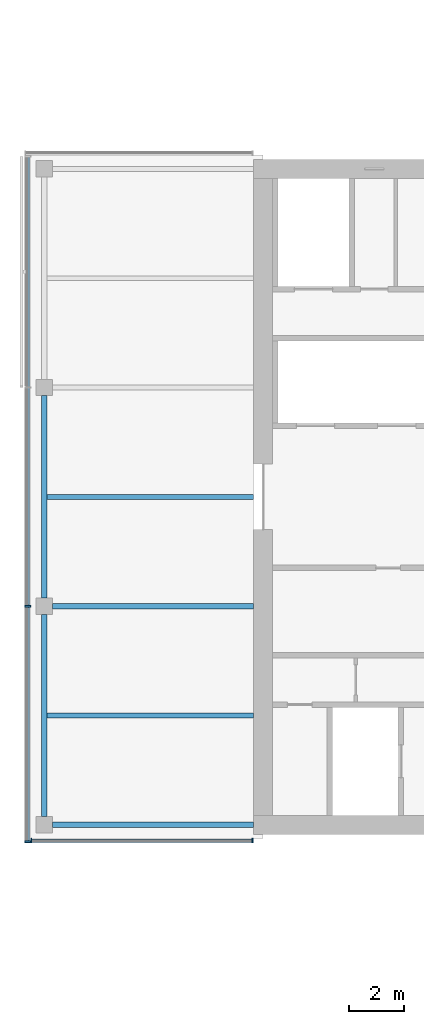
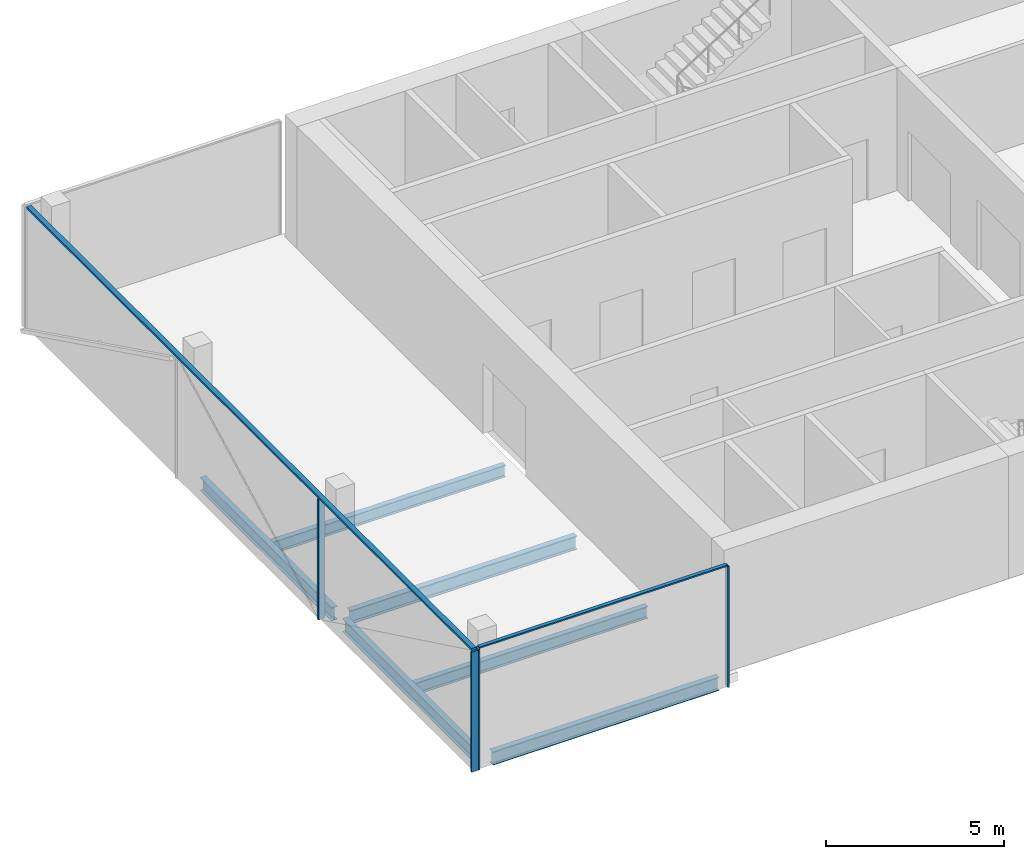
# One storey, part 3 of 22: 6 beams, 6 members, 2 elements without a shape of their own.
"""IFC4 building model written with IfcOpenShell, lengths in metres."""

from ifc_helpers import new_model, si_unit, direction, frame, origin, origin_2d, place, context, subcontext, project, spatial, rectangle, i_section, extrude, material, material_profile, profile_set, type_object, element, aggregate, save


model = new_model("IFC4")

# Units and contexts
model_context = context("Model", 3, precision=1e-05, world=origin(), true_north=direction((0.0, 1.0)))
body_context = subcontext(model_context, "Body", "Model", "MODEL_VIEW")
ifc_project = project(units=[si_unit("LENGTHUNIT", "METRE"), si_unit("AREAUNIT", "SQUARE_METRE"), si_unit("VOLUMEUNIT", "CUBIC_METRE"), si_unit("PLANEANGLEUNIT", "RADIAN"), si_unit("MASSUNIT", "GRAM", prefix="KILO")], contexts=[model_context])

# Site, building, storey
site_placement = place(None, origin())
site = spatial("IfcSite", under=ifc_project, at=site_placement, CompositionType="ELEMENT")
building_placement = place(site_placement, origin())
building = spatial("IfcBuilding", under=site, at=building_placement, Name="Crosswind Convention Tower", CompositionType="ELEMENT")
storey_placement = place(building_placement, frame((0.0, 0.0, 137.89990234375)))
storey = spatial("IfcBuildingStorey", under=building, at=storey_placement, Name="L28", CompositionType="ELEMENT", Elevation=137.89990234375)

# Beams
ifc_material_1 = material(Name="Steel S355", Category="steel")
ifc_material_profile_1 = material_profile(ifc_material_1, i_section(OverallWidth=0.18994140625, OverallDepth=0.45361328125, WebThickness=0.008544921875, FlangeThickness=0.0126953125, FilletRadius=0.01025390625, at=origin_2d()), Name="UB 457x191x67")
ifc_profile_set_1 = profile_set([ifc_material_profile_1], Name="Steel S355")
beam_type_1 = type_object("IfcBeamType", Name="Edge beam UB 457x191x67", PredefinedType="SPANDREL", material=ifc_profile_set_1)
for number, where, z_axis, x_axis, name in (
    (1, (89.0, 88.300048828125, -0.526611328125), (0.0, 1.0, 0.0), (-1.0, 0.0, 0.0), "B16 L28 edge beam 1"),
    (2, (89.0, 96.300048828125, -0.526611328125), (0.0, 1.0, 0.0), (-1.0, 0.0, 0.0), "B16 L28 edge beam 2"),
):
    element("IfcBeam", number, at=place(storey_placement, frame(where, z_axis=z_axis, x_axis=x_axis)), inside=storey, type_object=beam_type_1, Name=name, PredefinedType="SPANDREL", context=body_context, shape_type="SweptSolid", body=[
        extrude(i_section(OverallWidth=0.18994140625, OverallDepth=0.45361328125, WebThickness=0.008544921875, FlangeThickness=0.0126953125, FilletRadius=0.01025390625, at=origin_2d()), origin(), (0.0, 0.0, 1.0), 7.39990234375),
    ])
beam_1_placement = place(storey_placement, frame((89.300048828125, 88.0, -0.526611328125), z_axis=(1.0, 0.0, 0.0), x_axis=(0.0, 1.0, 0.0)))
element("IfcBeam", 3, at=beam_1_placement, inside=storey, type_object=beam_type_1, Name="B16 L28 edge beam 4", PredefinedType="SPANDREL", context=body_context, shape_type="SweptSolid", body=[
    extrude(i_section(OverallWidth=0.18994140625, OverallDepth=0.45361328125, WebThickness=0.008544921875, FlangeThickness=0.0126953125, FilletRadius=0.01025390625, at=origin_2d()), origin(), (0.0, 0.0, 1.0), 7.349853515625),
])
ifc_material_profile_2 = material_profile(ifc_material_1, i_section(OverallWidth=0.19189453125, OverallDepth=0.463623046875, WebThickness=0.010498046875, FlangeThickness=0.017578125, FilletRadius=0.01025390625, at=origin_2d()), Name="UB 457x191x90")
ifc_profile_set_2 = profile_set([ifc_material_profile_2], Name="Steel S355")
beam_type_2 = type_object("IfcBeamType", Name="Girder at core wall UB 457x191x90", PredefinedType="BEAM", material=ifc_profile_set_2)
beam_2_placement = place(storey_placement, frame((89.300048828125, 96.0, -0.53173828125), z_axis=(1.0, 0.0, 0.0), x_axis=(0.0, 1.0, 0.0)))
element("IfcBeam", 4, at=beam_2_placement, inside=storey, type_object=beam_type_2, Name="B24 L28 girder at core wall 1", PredefinedType="BEAM", context=body_context, shape_type="SweptSolid", body=[
    extrude(i_section(OverallWidth=0.19189453125, OverallDepth=0.463623046875, WebThickness=0.010498046875, FlangeThickness=0.017578125, FilletRadius=0.01025390625, at=origin_2d()), origin(), (0.0, 0.0, 1.0), 7.349853515625),
])

# Curtain wall, members
ifc_material_2 = material(Name="Aluminium unitised curtain wall", Category="aluminium")
curtain_wall_type_1 = type_object("IfcCurtainWallType", Name="CORE END SLOT WALL 160", PredefinedType="USERDEFINED", material=ifc_material_2)
curtain_wall_1_placement = place(storey_placement, origin())
curtain_wall_1 = element("IfcCurtainWall", 5, at=curtain_wall_1_placement, inside=storey, type_object=curtain_wall_type_1, Name="CW6 L28 W-S.1-1 slot", ObjectType="UNITISED", PredefinedType="USERDEFINED")
ifc_material_3 = material(Name="Aluminium mullion", Category="aluminium")
ifc_material_profile_3 = material_profile(ifc_material_3, rectangle(XDim=0.159912109375, YDim=0.050048828125, at=origin_2d()), Name="AL 160X50")
ifc_profile_set_3 = profile_set([ifc_material_profile_3], Name="Aluminium mullion")
member_type_1 = type_object("IfcMemberType", Name="MULLION 50X160", PredefinedType="MULLION", material=ifc_profile_set_3)
member_1_placement = place(storey_placement, frame((88.52490234375, 87.419921875, -0.2998046875), z_axis=(0.0, 0.0, 1.0), x_axis=(0.0, -1.0, 0.0)))
member_1 = element("IfcMember", 6, at=member_1_placement, type_object=member_type_1, Name="CW6 mullion 1", PredefinedType="MULLION", context=body_context, shape_type="SweptSolid", body=[
    extrude(rectangle(XDim=0.159912109375, YDim=0.050048828125, at=origin_2d()), origin(), (0.0, 0.0, 1.0), 4.14990234375),
])
member_2_placement = place(storey_placement, frame((96.625, 87.419921875, -0.2998046875), z_axis=(0.0, 0.0, 1.0), x_axis=(0.0, -1.0, 0.0)))
member_2 = element("IfcMember", 7, at=member_2_placement, type_object=member_type_1, Name="CW6 mullion 2", PredefinedType="MULLION", context=body_context, shape_type="SweptSolid", body=[
    extrude(rectangle(XDim=0.159912109375, YDim=0.050048828125, at=origin_2d()), origin(), (0.0, 0.0, 1.0), 4.14990234375),
])

curtain_wall_type_2 = type_object("IfcCurtainWallType", Name="OFFICE UNITISED WALL 220", PredefinedType="USERDEFINED", material=ifc_material_2)
curtain_wall_2_placement = place(storey_placement, origin())
curtain_wall_2 = element("IfcCurtainWall", 8, at=curtain_wall_2_placement, inside=storey, type_object=curtain_wall_type_2, Name="CW3 L28 W-TIP 1", ObjectType="UNITISED", PredefinedType="USERDEFINED")
ifc_material_profile_4 = material_profile(ifc_material_3, rectangle(XDim=0.219970703125, YDim=0.070068359375, at=origin_2d()), Name="AL 220X70")
ifc_profile_set_4 = profile_set([ifc_material_profile_4], Name="Aluminium mullion")
member_type_2 = type_object("IfcMemberType", Name="MULLION 70X220", PredefinedType="MULLION", material=ifc_profile_set_4)
member_3_placement = place(storey_placement, frame((88.389892578125, 96.0, -0.2998046875), z_axis=(0.0, 0.0, 1.0), x_axis=(-1.0, 0.0, 0.0)))
member_3 = element("IfcMember", 9, at=member_3_placement, type_object=member_type_2, Name="CW3 mullion 3", PredefinedType="MULLION", context=body_context, shape_type="SweptSolid", body=[
    extrude(rectangle(XDim=0.219970703125, YDim=0.070068359375, at=origin_2d()), origin(), (0.0, 0.0, 1.0), 4.1298828125),
])
member_4_placement = place(storey_placement, frame((88.389892578125, 87.375, -0.2998046875), z_axis=(0.0, 0.0, 1.0), x_axis=(-1.0, 0.0, 0.0)))
member_4 = element("IfcMember", 10, at=member_4_placement, type_object=member_type_2, Name="CW3 mullion 4", PredefinedType="MULLION", context=body_context, shape_type="SweptSolid", body=[
    extrude(rectangle(XDim=0.219970703125, YDim=0.070068359375, at=origin_2d()), origin(), (0.0, 0.0, 1.0), 4.1298828125),
])

# Beams
ifc_material_profile_5 = material_profile(ifc_material_1, i_section(OverallWidth=0.177734375, OverallDepth=0.406494140625, WebThickness=0.0078125, FlangeThickness=0.0126953125, FilletRadius=0.01025390625, at=origin_2d()), Name="UB 406x178x60")
ifc_profile_set_5 = profile_set([ifc_material_profile_5], Name="Steel S355")
beam_type_3 = type_object("IfcBeamType", Name="Secondary beam UB 406x178x60", PredefinedType="JOIST", material=ifc_profile_set_5)
for number, where, z_axis, x_axis, name in (
    (11, (89.094970703125, 92.0, -0.503173828125), (1.0, 0.0, 0.0), (0.0, 1.0, 0.0), "B10 L28 secondary beam 1"),
    (12, (89.094970703125, 100.0, -0.503173828125), (1.0, 0.0, 0.0), (0.0, 1.0, 0.0), "B10 L28 secondary beam 2"),
):
    element("IfcBeam", number, at=place(storey_placement, frame(where, z_axis=z_axis, x_axis=x_axis)), inside=storey, type_object=beam_type_3, Name=name, PredefinedType="JOIST", context=body_context, shape_type="SweptSolid", body=[
        extrude(i_section(OverallWidth=0.177734375, OverallDepth=0.406494140625, WebThickness=0.0078125, FlangeThickness=0.0126953125, FilletRadius=0.01025390625, at=origin_2d()), origin(), (0.0, 0.0, 1.0), 7.554931640625),
    ])

# Member
ifc_material_4 = material(Name="Aluminium transom", Category="aluminium")
ifc_material_profile_6 = material_profile(ifc_material_4, rectangle(XDim=0.1201171875, YDim=0.050048828125, at=origin_2d()), Name="AL 120X50")
ifc_profile_set_6 = profile_set([ifc_material_profile_6], Name="Aluminium transom")
member_type_3 = type_object("IfcMemberType", Name="TRANSOM 50X120", PredefinedType="USERDEFINED", material=ifc_profile_set_6)
member_5_placement = place(storey_placement, frame((88.550048828125, 87.419921875, 3.875), z_axis=(1.0, 0.0, 0.0), x_axis=(0.0, 1.0, 0.0)))
member_5 = element("IfcMember", 13, at=member_5_placement, type_object=member_type_3, Name="CW6 transom", ObjectType="TRANSOM", PredefinedType="USERDEFINED", context=body_context, shape_type="SweptSolid", body=[
    extrude(rectangle(XDim=0.1201171875, YDim=0.050048828125, at=origin_2d()), origin(), (0.0, 0.0, 1.0), 8.050048828125),
])

aggregate(curtain_wall_1, [member_1, member_2, member_5])

ifc_material_profile_7 = material_profile(ifc_material_4, rectangle(XDim=0.159912109375, YDim=0.070068359375, at=origin_2d()), Name="AL 160X70")
ifc_profile_set_7 = profile_set([ifc_material_profile_7], Name="Aluminium transom")
member_type_4 = type_object("IfcMemberType", Name="TRANSOM 70X160", PredefinedType="USERDEFINED", material=ifc_profile_set_7)
member_6_placement = place(storey_placement, frame((88.389892578125, 112.429931640625, 3.864990234375), z_axis=(0.0, -1.0, 0.0), x_axis=(1.0, 0.0, 0.0)))
member_6 = element("IfcMember", 14, at=member_6_placement, type_object=member_type_4, Name="CW3 transom", ObjectType="TRANSOM", PredefinedType="USERDEFINED", context=body_context, shape_type="SweptSolid", body=[
    extrude(rectangle(XDim=0.159912109375, YDim=0.070068359375, at=origin_2d()), origin(), (0.0, 0.0, 1.0), 25.02001953125),
])

aggregate(curtain_wall_2, [member_3, member_4, member_6])

save(model, "model.ifc")
